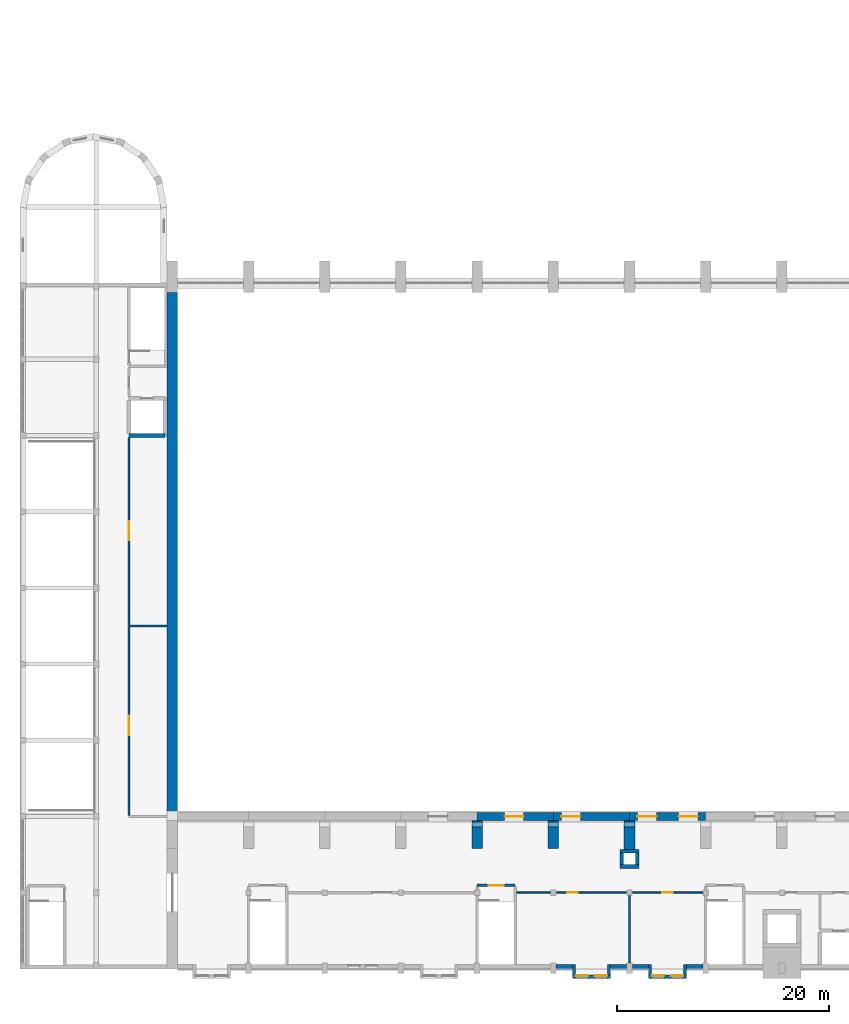
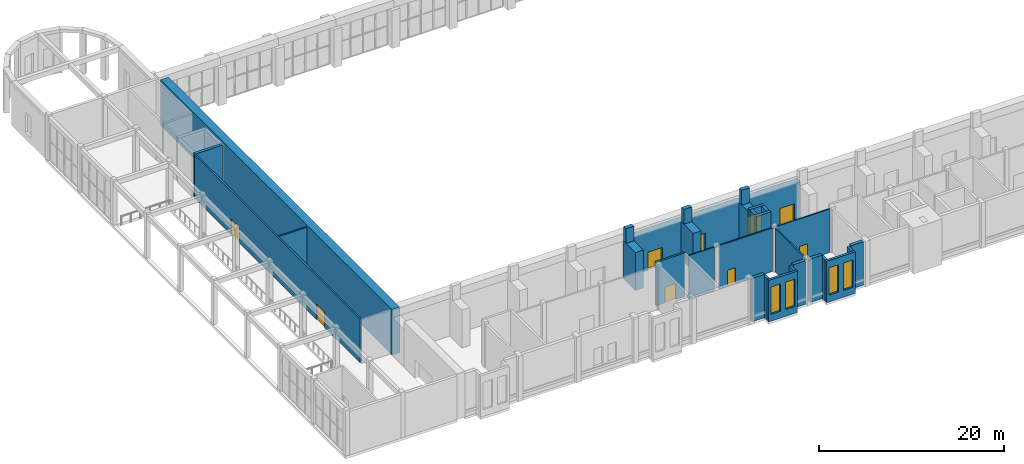
# One storey, part 27 of 44: 32 walls, 9 doors, 4 windows, 13 openings.
"""IFC4 building model written with IfcOpenShell, lengths in metres."""

from ifc_helpers import new_model, si_unit, direction, frame, frame_2d, origin, place, context, subcontext, project, spatial, rectangle, extrude, material, layer, layer_set, type_object, element, fill, save


model = new_model("IFC4")

# Units and contexts
model_context = context("Model", 3, precision=1e-05, world=origin(), true_north=direction((0.0, 1.0)))
body_context = subcontext(model_context, "Body", "Model", "MODEL_VIEW")
ifc_project = project(units=[si_unit("LENGTHUNIT", "METRE"), si_unit("AREAUNIT", "SQUARE_METRE"), si_unit("VOLUMEUNIT", "CUBIC_METRE"), si_unit("PLANEANGLEUNIT", "RADIAN"), si_unit("MASSUNIT", "GRAM", prefix="KILO")], contexts=[model_context])

# Site, building, storey
site_placement = place(None, origin())
site = spatial("IfcSite", under=ifc_project, at=site_placement, CompositionType="ELEMENT")
building_placement = place(site_placement, origin())
building = spatial("IfcBuilding", under=site, at=building_placement, Name="Vermilion Court Aquatics Centre", CompositionType="ELEMENT")
storey_placement = place(building_placement, frame((0.0, 0.0, 6.0)))
storey = spatial("IfcBuildingStorey", under=building, at=storey_placement, Name="L01", CompositionType="ELEMENT", Elevation=6.0)

# Wall
ifc_material_1 = material(Name="Concrete 5000 psi", Category="concrete")
ifc_layer_1 = layer(ifc_material_1, 1.0)
ifc_layer_set_1 = layer_set([ifc_layer_1], Name="Envelope west gable wall upper 1000")
wall_type_1 = type_object("IfcWallType", Name="Envelope west gable wall upper 1000", PredefinedType="SOLIDWALL", material=ifc_layer_set_1)
wall_1_placement = place(storey_placement, frame((14.39990234375, 14.0, 0.0), z_axis=(0.0, 0.0, 1.0), x_axis=(0.0, 1.0, 0.0)))
element("IfcWall", 1, at=wall_1_placement, inside=storey, type_object=wall_type_1, Name="Gable wall west L01", PredefinedType="SOLIDWALL", context=body_context, shape_type="SweptSolid", body=[
    extrude(rectangle(XDim=49.89990234375, YDim=1.0, at=frame_2d((24.949951171875, 0.0))), origin(), (0.0, 0.0, 1.0), 6.0),
])

# Wall, openings, doors
ifc_material_2 = material(Name="Concrete masonry ASTM C90 Type I", Category="masonry")
ifc_layer_2 = layer(ifc_material_2, 0.199951171875)
ifc_layer_set_2 = layer_set([ifc_layer_2], Name="Foyer partition wall 200")
wall_type_2 = type_object("IfcWallType", Name="Foyer partition wall 200", PredefinedType="PARTITIONING", material=ifc_layer_set_2)
wall_2_placement = place(storey_placement, frame((10.300048828125, 14.5, 0.0), z_axis=(0.0, 0.0, 1.0), x_axis=(0.0, 1.0, 0.0)))
wall_2 = element("IfcWall", 2, at=wall_2_placement, inside=storey, type_object=wall_type_2, Name="Partition wall", PredefinedType="PARTITIONING", context=body_context, shape_type="SweptSolid", body=[
    extrude(rectangle(XDim=35.72509765625, YDim=0.199951171875, at=frame_2d((17.862548828125, 0.0))), origin(), (0.0, 0.0, 1.0), 5.75),
])
opening_1_placement = place(wall_2_placement, frame((7.60009765625, 0.0, 0.0)))
opening_1 = element("IfcOpeningElement", 3, at=opening_1_placement, cuts=wall_2, Name="Opening F01-004", PredefinedType="OPENING", context=body_context, shape_type="SweptSolid", body=[
    extrude(rectangle(XDim=1.800048828125, YDim=2.10009765625, at=frame_2d((0.89990234375, 1.050048828125))), frame((0.0, 0.10986328125, 0.0), z_axis=(0.0, -1.0, 0.0), x_axis=(1.0, 0.0, 0.0)), (0.0, 0.0, 1.0), 0.219970703125),
])
opening_2_placement = place(wall_2_placement, frame((26.0, 0.0, 0.0)))
opening_2 = element("IfcOpeningElement", 4, at=opening_2_placement, cuts=wall_2, Name="Opening F01-005", PredefinedType="OPENING", context=body_context, shape_type="SweptSolid", body=[
    extrude(rectangle(XDim=1.800048828125, YDim=2.10009765625, at=frame_2d((0.89990234375, 1.050048828125))), frame((0.0, 0.10986328125, 0.0), z_axis=(0.0, -1.0, 0.0), x_axis=(1.0, 0.0, 0.0)), (0.0, 0.0, 1.0), 0.219970703125),
])
ifc_material_3 = material(Name="Hollow metal", Category="metal")
door_type_1 = type_object("IfcDoorType", Name="Foyer double door 1800", OperationType="DOUBLE_DOOR_SINGLE_SWING", PredefinedType="DOOR", material=ifc_material_3)
door_1_placement = place(opening_1_placement, frame((1.800048828125, 0.0, 0.0), z_axis=(0.0, 0.0, 1.0), x_axis=(-1.0, 0.0, 0.0)))
door_1 = element("IfcDoor", 5, at=door_1_placement, inside=storey, type_object=door_type_1, Name="Function room door", OperationType="DOUBLE_DOOR_SINGLE_SWING", OverallHeight=2.10009765625, OverallWidth=1.800048828125, PredefinedType="DOOR", context=body_context, shape_type="SweptSolid", body=[
    extrude(rectangle(XDim=1.800048828125, YDim=2.10009765625, at=frame_2d((0.900146484375, 1.050048828125))), frame((0.0, 0.025146484375, 0.0), z_axis=(0.0, -1.0, 0.0), x_axis=(1.0, 0.0, 0.0)), (0.0, 0.0, 1.0), 0.050048828125),
])
fill(opening_1, door_1)
door_2_placement = place(opening_2_placement, origin())
door_2 = element("IfcDoor", 6, at=door_2_placement, inside=storey, type_object=door_type_1, Name="Gallery cafe door", OperationType="DOUBLE_DOOR_SINGLE_SWING", OverallHeight=2.10009765625, OverallWidth=1.800048828125, PredefinedType="DOOR", context=body_context, shape_type="SweptSolid", body=[
    extrude(rectangle(XDim=1.800048828125, YDim=2.10009765625, at=frame_2d((0.89990234375, 1.050048828125))), frame((0.0, 0.02490234375, 0.0), z_axis=(0.0, -1.0, 0.0), x_axis=(1.0, 0.0, 0.0)), (0.0, 0.0, 1.0), 0.050048828125),
])
fill(opening_2, door_2)

# Walls
wall_3_placement = place(storey_placement, frame((10.39990234375, 32.39990234375, 0.0), z_axis=(0.0, 0.0, 1.0), x_axis=(1.0, 0.0, 0.0)))
element("IfcWall", 7, at=wall_3_placement, inside=storey, type_object=wall_type_2, Name="Partition wall", PredefinedType="PARTITIONING", context=body_context, shape_type="SweptSolid", body=[
    extrude(rectangle(XDim=3.5, YDim=0.199951171875, at=frame_2d((1.75, 0.0))), origin(), (0.0, 0.0, 1.0), 5.75),
])
ifc_material_4 = material(Name="Concrete 5000 psi", Category="concrete")
ifc_layer_3 = layer(ifc_material_4, 0.35009765625)
ifc_layer_set_3 = layer_set([ifc_layer_3], Name="Foyer upper lift shaft wall 350")
wall_type_3 = type_object("IfcWallType", Name="Foyer upper lift shaft wall 350", PredefinedType="SOLIDWALL", material=ifc_layer_set_3)
wall_4_placement = place(storey_placement, frame((10.300048828125, 50.39990234375, 0.0), z_axis=(0.0, 0.0, 1.0), x_axis=(1.0, 0.0, 0.0)))
element("IfcWall", 8, at=wall_4_placement, inside=storey, type_object=wall_type_3, Name="Lift shaft wall", PredefinedType="SOLIDWALL", context=body_context, shape_type="SweptSolid", body=[
    extrude(rectangle(XDim=3.39990234375, YDim=0.35009765625, at=frame_2d((1.699951171875, 0.0))), origin(), (0.0, 0.0, 1.0), 5.75),
])
ifc_material_5 = material(Name="Concrete 5000 psi", Category="concrete")
ifc_layer_4 = layer(ifc_material_5, 1.0)
ifc_layer_set_4 = layer_set([ifc_layer_4], Name="Roof buttress pier")
wall_type_4 = type_object("IfcWallType", Name="Roof buttress pier", PredefinedType="SOLIDWALL", material=ifc_layer_set_4)
for number, where, z_axis, x_axis, name in (
    (9, (43.199951171875, 11.39990234375, 0.0), (0.0, 0.0, 1.0), (0.0, 1.0, 0.0), "Buttress pier BPS05"),
    (10, (50.39990234375, 11.39990234375, 0.0), (0.0, 0.0, 1.0), (0.0, 1.0, 0.0), "Buttress pier BPS06"),
):
    element("IfcWall", number, at=place(storey_placement, frame(where, z_axis=z_axis, x_axis=x_axis)), inside=storey, type_object=wall_type_4, Name=name, PredefinedType="SOLIDWALL", context=body_context, shape_type="SweptSolid", body=[
        extrude(rectangle(XDim=2.60009765625, YDim=1.0, at=frame_2d((1.300048828125, 0.0))), origin(), (0.0, 0.0, 1.0), 5.0),
    ])
wall_5_placement = place(storey_placement, frame((57.60009765625, 11.300048828125, 0.0), z_axis=(0.0, 0.0, 1.0), x_axis=(0.0, 1.0, 0.0)))
element("IfcWall", 11, at=wall_5_placement, inside=storey, type_object=wall_type_4, Name="Buttress pier BPS07", PredefinedType="SOLIDWALL", context=body_context, shape_type="SweptSolid", body=[
    extrude(rectangle(XDim=2.699951171875, YDim=1.0, at=frame_2d((1.35009765625, 0.0))), origin(), (0.0, 0.0, 1.0), 5.0),
])

# Wall, openings, windows
ifc_material_6 = material(Name="Brick masonry", Category="masonry")
ifc_layer_5 = layer(ifc_material_6, 0.300048828125)
ifc_layer_set_5 = layer_set([ifc_layer_5], Name="South bay wall 300")
wall_type_5 = type_object("IfcWallType", Name="South bay wall 300", PredefinedType="SOLIDWALL", material=ifc_layer_set_5)
wall_6_placement = place(storey_placement, frame((52.199951171875, -0.75, 0.0), z_axis=(0.0, 0.0, 1.0), x_axis=(1.0, 0.0, 0.0)))
wall_6 = element("IfcWall", 12, at=wall_6_placement, inside=storey, type_object=wall_type_5, Name="South oriel front wall", PredefinedType="SOLIDWALL", context=body_context, shape_type="SweptSolid", body=[
    extrude(rectangle(XDim=3.60009765625, YDim=0.300048828125, at=frame_2d((1.800048828125, 0.0))), origin(), (0.0, 0.0, 1.0), 5.449951171875),
])
opening_3_placement = place(wall_6_placement, frame((0.300048828125, 0.0, 0.89990234375)))
opening_3 = element("IfcOpeningElement", 13, at=opening_3_placement, cuts=wall_6, Name="Opening SWN7", PredefinedType="OPENING", context=body_context, shape_type="SweptSolid", body=[
    extrude(rectangle(XDim=1.199951171875, YDim=3.60009765625, at=frame_2d((0.60009765625, 1.800048828125))), frame((0.0, 0.159912109375, 0.0), z_axis=(0.0, -1.0, 0.0), x_axis=(1.0, 0.0, 0.0)), (0.0, 0.0, 1.0), 0.320068359375),
])
opening_4_placement = place(wall_6_placement, frame((2.10009765625, 0.0, 0.89990234375)))
opening_4 = element("IfcOpeningElement", 14, at=opening_4_placement, cuts=wall_6, Name="Opening SWN7", PredefinedType="OPENING", context=body_context, shape_type="SweptSolid", body=[
    extrude(rectangle(XDim=1.199951171875, YDim=3.60009765625, at=frame_2d((0.60009765625, 1.800048828125))), frame((0.0, 0.159912109375, 0.0), z_axis=(0.0, -1.0, 0.0), x_axis=(1.0, 0.0, 0.0)), (0.0, 0.0, 1.0), 0.320068359375),
])
ifc_material_7 = material(Name="Aluminium 6063-T5", Category="aluminium")
window_type = type_object("IfcWindowType", Name="South tall window 1200x3600 obscured glass", PartitioningType="DOUBLE_PANEL_VERTICAL", PredefinedType="WINDOW", material=ifc_material_7)
window_1_placement = place(opening_3_placement, origin())
window_1 = element("IfcWindow", 15, at=window_1_placement, inside=storey, type_object=window_type, Name="Oriel tall window", OverallHeight=3.60009765625, OverallWidth=1.199951171875, PartitioningType="DOUBLE_PANEL_VERTICAL", PredefinedType="WINDOW", context=body_context, shape_type="SweptSolid", body=[
    extrude(rectangle(XDim=1.199951171875, YDim=3.60009765625, at=frame_2d((0.60009765625, 1.800048828125))), frame((0.0, 0.130126953125, 0.0), z_axis=(0.0, -1.0, 0.0), x_axis=(1.0, 0.0, 0.0)), (0.0, 0.0, 1.0), 0.06005859375),
])
fill(opening_3, window_1)
window_2_placement = place(opening_4_placement, origin())
window_2 = element("IfcWindow", 16, at=window_2_placement, inside=storey, type_object=window_type, Name="Oriel tall window", OverallHeight=3.60009765625, OverallWidth=1.199951171875, PartitioningType="DOUBLE_PANEL_VERTICAL", PredefinedType="WINDOW", context=body_context, shape_type="SweptSolid", body=[
    extrude(rectangle(XDim=1.199951171875, YDim=3.60009765625, at=frame_2d((0.60009765625, 1.800048828125))), frame((0.0, 0.130126953125, 0.0), z_axis=(0.0, -1.0, 0.0), x_axis=(1.0, 0.0, 0.0)), (0.0, 0.0, 1.0), 0.06005859375),
])
fill(opening_4, window_2)

# Walls
for number, where, z_axis, x_axis, name in (
    (17, (52.35009765625, -0.60009765625, 0.0), (0.0, 0.0, 1.0), (0.0, 1.0, 0.0), "South oriel jamb pier"),
    (18, (55.64990234375, -0.60009765625, 0.0), (0.0, 0.0, 1.0), (0.0, 1.0, 0.0), "South oriel jamb pier"),
):
    element("IfcWall", number, at=place(storey_placement, frame(where, z_axis=z_axis, x_axis=x_axis)), inside=storey, type_object=wall_type_5, Name=name, PredefinedType="SOLIDWALL", context=body_context, shape_type="SweptSolid", body=[
        extrude(rectangle(XDim=1.0, YDim=0.300048828125, at=frame_2d((0.5, 0.0))), origin(), (0.0, 0.0, 1.0), 5.449951171875),
    ])

# Wall, openings, windows
wall_7_placement = place(storey_placement, frame((59.39990234375, -0.75, 0.0), z_axis=(0.0, 0.0, 1.0), x_axis=(1.0, 0.0, 0.0)))
wall_7 = element("IfcWall", 19, at=wall_7_placement, inside=storey, type_object=wall_type_5, Name="South oriel front wall", PredefinedType="SOLIDWALL", context=body_context, shape_type="SweptSolid", body=[
    extrude(rectangle(XDim=3.60009765625, YDim=0.300048828125, at=frame_2d((1.800048828125, 0.0))), origin(), (0.0, 0.0, 1.0), 5.449951171875),
])
opening_5_placement = place(wall_7_placement, frame((0.300048828125, 0.0, 0.89990234375)))
opening_5 = element("IfcOpeningElement", 20, at=opening_5_placement, cuts=wall_7, Name="Opening SWN7", PredefinedType="OPENING", context=body_context, shape_type="SweptSolid", body=[
    extrude(rectangle(XDim=1.199951171875, YDim=3.60009765625, at=frame_2d((0.60009765625, 1.800048828125))), frame((0.0, 0.159912109375, 0.0), z_axis=(0.0, -1.0, 0.0), x_axis=(1.0, 0.0, 0.0)), (0.0, 0.0, 1.0), 0.320068359375),
])
opening_6_placement = place(wall_7_placement, frame((2.10009765625, 0.0, 0.89990234375)))
opening_6 = element("IfcOpeningElement", 21, at=opening_6_placement, cuts=wall_7, Name="Opening SWN7", PredefinedType="OPENING", context=body_context, shape_type="SweptSolid", body=[
    extrude(rectangle(XDim=1.199951171875, YDim=3.60009765625, at=frame_2d((0.60009765625, 1.800048828125))), frame((0.0, 0.159912109375, 0.0), z_axis=(0.0, -1.0, 0.0), x_axis=(1.0, 0.0, 0.0)), (0.0, 0.0, 1.0), 0.320068359375),
])
window_3_placement = place(opening_5_placement, origin())
window_3 = element("IfcWindow", 22, at=window_3_placement, inside=storey, type_object=window_type, Name="Oriel tall window", OverallHeight=3.60009765625, OverallWidth=1.199951171875, PartitioningType="DOUBLE_PANEL_VERTICAL", PredefinedType="WINDOW", context=body_context, shape_type="SweptSolid", body=[
    extrude(rectangle(XDim=1.199951171875, YDim=3.60009765625, at=frame_2d((0.60009765625, 1.800048828125))), frame((0.0, 0.130126953125, 0.0), z_axis=(0.0, -1.0, 0.0), x_axis=(1.0, 0.0, 0.0)), (0.0, 0.0, 1.0), 0.06005859375),
])
fill(opening_5, window_3)
window_4_placement = place(opening_6_placement, origin())
window_4 = element("IfcWindow", 23, at=window_4_placement, inside=storey, type_object=window_type, Name="Oriel tall window", OverallHeight=3.60009765625, OverallWidth=1.199951171875, PartitioningType="DOUBLE_PANEL_VERTICAL", PredefinedType="WINDOW", context=body_context, shape_type="SweptSolid", body=[
    extrude(rectangle(XDim=1.199951171875, YDim=3.60009765625, at=frame_2d((0.60009765625, 1.800048828125))), frame((0.0, 0.130126953125, 0.0), z_axis=(0.0, -1.0, 0.0), x_axis=(1.0, 0.0, 0.0)), (0.0, 0.0, 1.0), 0.06005859375),
])
fill(opening_6, window_4)

# Walls
for number, where, z_axis, x_axis, name in (
    (24, (59.550048828125, -0.60009765625, 0.0), (0.0, 0.0, 1.0), (0.0, 1.0, 0.0), "South oriel jamb pier"),
    (25, (62.85009765625, -0.60009765625, 0.0), (0.0, 0.0, 1.0), (0.0, 1.0, 0.0), "South oriel jamb pier"),
):
    element("IfcWall", number, at=place(storey_placement, frame(where, z_axis=z_axis, x_axis=x_axis)), inside=storey, type_object=wall_type_5, Name=name, PredefinedType="SOLIDWALL", context=body_context, shape_type="SweptSolid", body=[
        extrude(rectangle(XDim=1.0, YDim=0.300048828125, at=frame_2d((0.5, 0.0))), origin(), (0.0, 0.0, 1.0), 5.449951171875),
    ])
ifc_material_8 = material(Name="Brick masonry", Category="masonry")
ifc_layer_6 = layer(ifc_material_8, 0.39990234375)
ifc_layer_set_6 = layer_set([ifc_layer_6], Name="South brick facade wall 400")
wall_type_6 = type_object("IfcWallType", Name="South brick facade wall 400", PredefinedType="SOLIDWALL", material=ifc_layer_set_6)
for number, where, z_axis, x_axis, name in (
    (26, (50.675048828125, 0.199951171875, 0.0), (0.0, 0.0, 1.0), (1.0, 0.0, 0.0), "Brick facade wall"),
    (27, (55.800048828125, 0.199951171875, 0.0), (0.0, 0.0, 1.0), (1.0, 0.0, 0.0), "Brick facade wall"),
    (28, (57.875, 0.199951171875, 0.0), (0.0, 0.0, 1.0), (1.0, 0.0, 0.0), "Brick facade wall"),
    (29, (63.0, 0.199951171875, 0.0), (0.0, 0.0, 1.0), (1.0, 0.0, 0.0), "Brick facade wall"),
):
    element("IfcWall", number, at=place(storey_placement, frame(where, z_axis=z_axis, x_axis=x_axis)), inside=storey, type_object=wall_type_6, Name=name, PredefinedType="SOLIDWALL", context=body_context, shape_type="SweptSolid", body=[
        extrude(rectangle(XDim=1.52490234375, YDim=0.39990234375, at=frame_2d((0.762451171875, 0.0))), origin(), (0.0, 0.0, 1.0), 5.72509765625),
    ])
ifc_material_9 = material(Name="Concrete 5000 psi", Category="concrete")
ifc_layer_7 = layer(ifc_material_9, 0.5)
ifc_layer_set_7 = layer_set([ifc_layer_7], Name="South roof valley post 500")
wall_type_7 = type_object("IfcWallType", Name="South roof valley post 500", PredefinedType="SOLIDWALL", material=ifc_layer_set_7)
for number, where, z_axis, x_axis, name in (
    (30, (42.699951171875, 13.64990234375, 5.0), (0.0, 0.0, 1.0), (1.0, 0.0, 0.0), "South roof valley post"),
    (31, (49.89990234375, 13.64990234375, 5.0), (0.0, 0.0, 1.0), (1.0, 0.0, 0.0), "South roof valley post"),
    (32, (57.10009765625, 13.64990234375, 5.0), (0.0, 0.0, 1.0), (1.0, 0.0, 0.0), "South roof valley post"),
):
    element("IfcWall", number, at=place(storey_placement, frame(where, z_axis=z_axis, x_axis=x_axis)), inside=storey, type_object=wall_type_7, Name=name, PredefinedType="SOLIDWALL", context=body_context, shape_type="SweptSolid", body=[
        extrude(rectangle(XDim=1.0, YDim=0.5, at=frame_2d((0.5, 0.0))), origin(), (0.0, 0.0, 1.0), 1.932373046875),
    ])

# Wall, opening, door
ifc_material_10 = material(Name="Concrete 5000 psi", Category="concrete")
ifc_layer_8 = layer(ifc_material_10, 0.25)
ifc_layer_set_8 = layer_set([ifc_layer_8], Name="South upper stair wall 250")
wall_type_8 = type_object("IfcWallType", Name="South upper stair wall 250", PredefinedType="SOLIDWALL", material=ifc_layer_set_8)
wall_8_placement = place(storey_placement, frame((43.199951171875, 7.89990234375, 0.0), z_axis=(0.0, 0.0, 1.0), x_axis=(1.0, 0.0, 0.0)))
wall_8 = element("IfcWall", 33, at=wall_8_placement, inside=storey, type_object=wall_type_8, Name="Stair enclosure wall", PredefinedType="SOLIDWALL", context=body_context, shape_type="SweptSolid", body=[
    extrude(rectangle(XDim=3.60009765625, YDim=0.25, at=frame_2d((1.800048828125, 0.0))), origin(), (0.0, 0.0, 1.0), 5.72509765625),
])
opening_7_placement = place(wall_8_placement, frame((1.10009765625, 0.0, 0.0)))
opening_7 = element("IfcOpeningElement", 34, at=opening_7_placement, cuts=wall_8, Name="Opening S01-002", PredefinedType="OPENING", context=body_context, shape_type="SweptSolid", body=[
    extrude(rectangle(XDim=1.39990234375, YDim=2.10009765625, at=frame_2d((0.699951171875, 1.050048828125))), frame((0.0, 0.135009765625, 0.0), z_axis=(0.0, -1.0, 0.0), x_axis=(1.0, 0.0, 0.0)), (0.0, 0.0, 1.0), 0.27001953125),
])
ifc_material_11 = material(Name="Hollow metal", Category="metal")
door_type_2 = type_object("IfcDoorType", Name="South stair door 1400", OperationType="DOUBLE_DOOR_SINGLE_SWING", PredefinedType="DOOR", material=ifc_material_11)
door_3_placement = place(opening_7_placement, frame((1.39990234375, 0.0, 0.0), z_axis=(0.0, 0.0, 1.0), x_axis=(-1.0, 0.0, 0.0)))
door_3 = element("IfcDoor", 35, at=door_3_placement, inside=storey, type_object=door_type_2, Name="Exit stair S2 door", OperationType="DOUBLE_DOOR_SINGLE_SWING", OverallHeight=2.10009765625, OverallWidth=1.39990234375, PredefinedType="DOOR", context=body_context, shape_type="SweptSolid", body=[
    extrude(rectangle(XDim=1.39990234375, YDim=2.10009765625, at=frame_2d((0.699951171875, 1.050048828125))), frame((0.0, 0.025146484375, 0.0), z_axis=(0.0, -1.0, 0.0), x_axis=(1.0, 0.0, 0.0)), (0.0, 0.0, 1.0), 0.050048828125),
])
fill(opening_7, door_3)

# Walls
ifc_material_12 = material(Name="Brick masonry", Category="masonry")
ifc_layer_9 = layer(ifc_material_12, 0.35009765625)
ifc_layer_set_9 = layer_set([ifc_layer_9], Name="South vent stack wall 350")
wall_type_9 = type_object("IfcWallType", Name="South vent stack wall 350", PredefinedType="SOLIDWALL", material=ifc_layer_set_9)
for number, where, z_axis, x_axis, name in (
    (36, (56.699951171875, 11.125, 0.0), (0.0, 0.0, 1.0), (1.0, 0.0, 0.0), "Stack shaft wall"),
    (37, (56.699951171875, 9.675048828125, 0.0), (0.0, 0.0, 1.0), (1.0, 0.0, 0.0), "Stack shaft wall"),
):
    element("IfcWall", number, at=place(storey_placement, frame(where, z_axis=z_axis, x_axis=x_axis)), inside=storey, type_object=wall_type_9, Name=name, PredefinedType="SOLIDWALL", context=body_context, shape_type="SweptSolid", body=[
        extrude(rectangle(XDim=1.800048828125, YDim=0.35009765625, at=frame_2d((0.89990234375, 0.0))), origin(), (0.0, 0.0, 1.0), 6.0),
    ])
for number, where, z_axis, x_axis, name in (
    (38, (58.324951171875, 9.85009765625, 0.0), (0.0, 0.0, 1.0), (0.0, 1.0, 0.0), "Stack shaft wall"),
    (39, (56.875, 9.85009765625, 0.0), (0.0, 0.0, 1.0), (0.0, 1.0, 0.0), "Stack shaft wall"),
):
    element("IfcWall", number, at=place(storey_placement, frame(where, z_axis=z_axis, x_axis=x_axis)), inside=storey, type_object=wall_type_9, Name=name, PredefinedType="SOLIDWALL", context=body_context, shape_type="SweptSolid", body=[
        extrude(rectangle(XDim=1.099853515625, YDim=0.35009765625, at=frame_2d((0.5498046875, 0.0))), origin(), (0.0, 0.0, 1.0), 6.0),
    ])
ifc_material_13 = material(Name="Concrete masonry ASTM C90 Type I", Category="masonry")
ifc_layer_10 = layer(ifc_material_13, 0.14990234375)
ifc_layer_set_10 = layer_set([ifc_layer_10], Name="South wet room partition 150")
wall_type_10 = type_object("IfcWallType", Name="South wet room partition 150", PredefinedType="PARTITIONING", material=ifc_layer_set_10)
wall_9_placement = place(storey_placement, frame((57.60009765625, 0.60009765625, 0.0), z_axis=(0.0, 0.0, 1.0), x_axis=(0.0, 1.0, 0.0)))
element("IfcWall", 40, at=wall_9_placement, inside=storey, type_object=wall_type_10, Name="Wall", PredefinedType="PARTITIONING", context=body_context, shape_type="SweptSolid", body=[
    extrude(rectangle(XDim=6.2998046875, YDim=0.14990234375, at=frame_2d((3.14990234375, 0.0))), origin(), (0.0, 0.0, 1.0), 5.72509765625),
])
wall_10_placement = place(storey_placement, frame((46.925048828125, 7.199951171875, 0.0), z_axis=(0.0, 0.0, 1.0), x_axis=(1.0, 0.0, 0.0)))
element("IfcWall", 41, at=wall_10_placement, inside=storey, type_object=wall_type_10, Name="Wall", PredefinedType="PARTITIONING", context=body_context, shape_type="SweptSolid", body=[
    extrude(rectangle(XDim=3.175048828125, YDim=0.14990234375, at=frame_2d((1.58740234375, 0.0))), origin(), (0.0, 0.0, 1.0), 5.72509765625),
])

# Wall, opening, door
wall_11_placement = place(storey_placement, frame((50.699951171875, 7.199951171875, 0.0), z_axis=(0.0, 0.0, 1.0), x_axis=(1.0, 0.0, 0.0)))
wall_11 = element("IfcWall", 42, at=wall_11_placement, inside=storey, type_object=wall_type_10, Name="Wall", PredefinedType="PARTITIONING", context=body_context, shape_type="SweptSolid", body=[
    extrude(rectangle(XDim=6.60009765625, YDim=0.14990234375, at=frame_2d((3.300048828125, 0.0))), origin(), (0.0, 0.0, 1.0), 5.72509765625),
])
opening_8_placement = place(wall_11_placement, frame((1.0, 0.0, 0.0)))
opening_8 = element("IfcOpeningElement", 43, at=opening_8_placement, cuts=wall_11, Name="Opening S01-010", PredefinedType="OPENING", context=body_context, shape_type="SweptSolid", body=[
    extrude(rectangle(XDim=1.0, YDim=2.10009765625, at=frame_2d((0.5, 1.050048828125))), frame((0.0, 0.0849609375, 0.0), z_axis=(0.0, -1.0, 0.0), x_axis=(1.0, 0.0, 0.0)), (0.0, 0.0, 1.0), 0.169921875),
])
ifc_material_14 = material(Name="Timber door leaf", Category="wood")
door_type_3 = type_object("IfcDoorType", Name="South range single door 1000", OperationType="NOTDEFINED", PredefinedType="DOOR", material=ifc_material_14)
door_4_placement = place(opening_8_placement, frame((1.0, 0.0, 0.0), z_axis=(0.0, 0.0, 1.0), x_axis=(-1.0, 0.0, 0.0)))
door_4 = element("IfcDoor", 44, at=door_4_placement, inside=storey, type_object=door_type_3, Name="Public WC - Women door", OperationType="SINGLE_SWING_RIGHT", OverallHeight=2.10009765625, OverallWidth=1.0, PredefinedType="DOOR", context=body_context, shape_type="SweptSolid", body=[
    extrude(rectangle(XDim=1.0, YDim=2.10009765625, at=frame_2d((0.5, 1.050048828125))), frame((0.0, 0.025146484375, 0.0), z_axis=(0.0, -1.0, 0.0), x_axis=(1.0, 0.0, 0.0)), (0.0, 0.0, 1.0), 0.050048828125),
])
fill(opening_8, door_4)

wall_12_placement = place(storey_placement, frame((57.89990234375, 7.199951171875, 0.0), z_axis=(0.0, 0.0, 1.0), x_axis=(1.0, 0.0, 0.0)))
wall_12 = element("IfcWall", 45, at=wall_12_placement, inside=storey, type_object=wall_type_10, Name="Wall", PredefinedType="PARTITIONING", context=body_context, shape_type="SweptSolid", body=[
    extrude(rectangle(XDim=6.60009765625, YDim=0.14990234375, at=frame_2d((3.300048828125, 0.0))), origin(), (0.0, 0.0, 1.0), 5.72509765625),
])
opening_9_placement = place(wall_12_placement, frame((2.800048828125, 0.0, 0.0)))
opening_9 = element("IfcOpeningElement", 46, at=opening_9_placement, cuts=wall_12, Name="Opening S01-011", PredefinedType="OPENING", context=body_context, shape_type="SweptSolid", body=[
    extrude(rectangle(XDim=1.0, YDim=2.10009765625, at=frame_2d((0.5, 1.050048828125))), frame((0.0, 0.0849609375, 0.0), z_axis=(0.0, -1.0, 0.0), x_axis=(1.0, 0.0, 0.0)), (0.0, 0.0, 1.0), 0.169921875),
])
door_5_placement = place(opening_9_placement, frame((1.0, 0.0, 0.0), z_axis=(0.0, 0.0, 1.0), x_axis=(-1.0, 0.0, 0.0)))
door_5 = element("IfcDoor", 47, at=door_5_placement, inside=storey, type_object=door_type_3, Name="Public WC - Men door", OperationType="SINGLE_SWING_RIGHT", OverallHeight=2.10009765625, OverallWidth=1.0, PredefinedType="DOOR", context=body_context, shape_type="SweptSolid", body=[
    extrude(rectangle(XDim=1.0, YDim=2.10009765625, at=frame_2d((0.5, 1.050048828125))), frame((0.0, 0.025146484375, 0.0), z_axis=(0.0, -1.0, 0.0), x_axis=(1.0, 0.0, 0.0)), (0.0, 0.0, 1.0), 0.050048828125),
])
fill(opening_9, door_5)

ifc_material_15 = material(Name="Concrete 5000 psi", Category="concrete")
ifc_layer_11 = layer(ifc_material_15, 0.800048828125)
ifc_layer_set_11 = layer_set([ifc_layer_11], Name="Tribune back wall 800")
wall_type_11 = type_object("IfcWallType", Name="Tribune back wall 800", PredefinedType="SOLIDWALL", material=ifc_layer_set_11)
wall_13_placement = place(storey_placement, frame((43.199951171875, 14.39990234375, 0.0), z_axis=(0.0, 0.0, 1.0), x_axis=(1.0, 0.0, 0.0)))
wall_13 = element("IfcWall", 48, at=wall_13_placement, inside=storey, type_object=wall_type_11, Name="South hall wall", PredefinedType="SOLIDWALL", context=body_context, shape_type="SweptSolid", body=[
    extrude(rectangle(XDim=7.199951171875, YDim=0.800048828125, at=frame_2d((3.60009765625, 0.0))), origin(), (0.0, 0.0, 1.0), 5.0),
])
opening_10_placement = place(wall_13_placement, frame((2.60009765625, 0.0, 0.0)))
opening_10 = element("IfcOpeningElement", 49, at=opening_10_placement, cuts=wall_13, Name="Opening T01-002", PredefinedType="OPENING", context=body_context, shape_type="SweptSolid", body=[
    extrude(rectangle(XDim=1.800048828125, YDim=2.39990234375, at=frame_2d((0.89990234375, 1.199951171875))), frame((0.0, 0.409912109375, 0.0), z_axis=(0.0, -1.0, 0.0), x_axis=(1.0, 0.0, 0.0)), (0.0, 0.0, 1.0), 0.820068359375),
])
ifc_material_16 = material(Name="Hollow metal", Category="metal")
door_type_4 = type_object("IfcDoorType", Name="Tribune vomitory door 1800x2400", OperationType="DOUBLE_DOOR_SINGLE_SWING", PredefinedType="DOOR", material=ifc_material_16)
door_6_placement = place(opening_10_placement, origin())
door_6 = element("IfcDoor", 50, at=door_6_placement, inside=storey, type_object=door_type_4, Name="Vomitory door", OperationType="DOUBLE_DOOR_SINGLE_SWING", OverallHeight=2.39990234375, OverallWidth=1.800048828125, PredefinedType="DOOR", context=body_context, shape_type="SweptSolid", body=[
    extrude(rectangle(XDim=1.800048828125, YDim=2.39990234375, at=frame_2d((0.89990234375, 1.199951171875))), frame((0.0, 0.02490234375, 0.0), z_axis=(0.0, -1.0, 0.0), x_axis=(1.0, 0.0, 0.0)), (0.0, 0.0, 1.0), 0.050048828125),
])
fill(opening_10, door_6)

wall_14_placement = place(storey_placement, frame((50.39990234375, 14.39990234375, 0.0), z_axis=(0.0, 0.0, 1.0), x_axis=(1.0, 0.0, 0.0)))
wall_14 = element("IfcWall", 51, at=wall_14_placement, inside=storey, type_object=wall_type_11, Name="South hall wall", PredefinedType="SOLIDWALL", context=body_context, shape_type="SweptSolid", body=[
    extrude(rectangle(XDim=7.2001953125, YDim=0.800048828125, at=frame_2d((3.60009765625, 0.0))), origin(), (0.0, 0.0, 1.0), 5.0),
])
opening_11_placement = place(wall_14_placement, frame((0.75, 0.0, 0.0)))
opening_11 = element("IfcOpeningElement", 52, at=opening_11_placement, cuts=wall_14, Name="Opening T01-003", PredefinedType="OPENING", context=body_context, shape_type="SweptSolid", body=[
    extrude(rectangle(XDim=1.800048828125, YDim=2.39990234375, at=frame_2d((0.89990234375, 1.199951171875))), frame((0.0, 0.409912109375, 0.0), z_axis=(0.0, -1.0, 0.0), x_axis=(1.0, 0.0, 0.0)), (0.0, 0.0, 1.0), 0.820068359375),
])
door_7_placement = place(opening_11_placement, origin())
door_7 = element("IfcDoor", 53, at=door_7_placement, inside=storey, type_object=door_type_4, Name="Vomitory door", OperationType="DOUBLE_DOOR_SINGLE_SWING", OverallHeight=2.39990234375, OverallWidth=1.800048828125, PredefinedType="DOOR", context=body_context, shape_type="SweptSolid", body=[
    extrude(rectangle(XDim=1.800048828125, YDim=2.39990234375, at=frame_2d((0.89990234375, 1.199951171875))), frame((0.0, 0.02490234375, 0.0), z_axis=(0.0, -1.0, 0.0), x_axis=(1.0, 0.0, 0.0)), (0.0, 0.0, 1.0), 0.050048828125),
])
fill(opening_11, door_7)

# Wall, openings, doors
wall_15_placement = place(storey_placement, frame((57.60009765625, 14.39990234375, 0.0), z_axis=(0.0, 0.0, 1.0), x_axis=(1.0, 0.0, 0.0)))
wall_15 = element("IfcWall", 54, at=wall_15_placement, inside=storey, type_object=wall_type_11, Name="South hall wall", PredefinedType="SOLIDWALL", context=body_context, shape_type="SweptSolid", body=[
    extrude(rectangle(XDim=7.199951171875, YDim=0.800048828125, at=frame_2d((3.60009765625, 0.0))), origin(), (0.0, 0.0, 1.0), 5.0),
])
opening_12_placement = place(wall_15_placement, frame((0.75, 0.0, 0.0)))
opening_12 = element("IfcOpeningElement", 55, at=opening_12_placement, cuts=wall_15, Name="Opening T01-004", PredefinedType="OPENING", context=body_context, shape_type="SweptSolid", body=[
    extrude(rectangle(XDim=1.800048828125, YDim=2.39990234375, at=frame_2d((0.89990234375, 1.199951171875))), frame((0.0, 0.409912109375, 0.0), z_axis=(0.0, -1.0, 0.0), x_axis=(1.0, 0.0, 0.0)), (0.0, 0.0, 1.0), 0.820068359375),
])
opening_13_placement = place(wall_15_placement, frame((4.64990234375, 0.0, 0.0)))
opening_13 = element("IfcOpeningElement", 56, at=opening_13_placement, cuts=wall_15, Name="Opening T01-005", PredefinedType="OPENING", context=body_context, shape_type="SweptSolid", body=[
    extrude(rectangle(XDim=1.800048828125, YDim=2.39990234375, at=frame_2d((0.89990234375, 1.199951171875))), frame((0.0, 0.409912109375, 0.0), z_axis=(0.0, -1.0, 0.0), x_axis=(1.0, 0.0, 0.0)), (0.0, 0.0, 1.0), 0.820068359375),
])
door_8_placement = place(opening_12_placement, origin())
door_8 = element("IfcDoor", 57, at=door_8_placement, inside=storey, type_object=door_type_4, Name="Vomitory door", OperationType="DOUBLE_DOOR_SINGLE_SWING", OverallHeight=2.39990234375, OverallWidth=1.800048828125, PredefinedType="DOOR", context=body_context, shape_type="SweptSolid", body=[
    extrude(rectangle(XDim=1.800048828125, YDim=2.39990234375, at=frame_2d((0.89990234375, 1.199951171875))), frame((0.0, 0.02490234375, 0.0), z_axis=(0.0, -1.0, 0.0), x_axis=(1.0, 0.0, 0.0)), (0.0, 0.0, 1.0), 0.050048828125),
])
fill(opening_12, door_8)
door_9_placement = place(opening_13_placement, origin())
door_9 = element("IfcDoor", 58, at=door_9_placement, inside=storey, type_object=door_type_4, Name="Vomitory door", OperationType="DOUBLE_DOOR_SINGLE_SWING", OverallHeight=2.39990234375, OverallWidth=1.800048828125, PredefinedType="DOOR", context=body_context, shape_type="SweptSolid", body=[
    extrude(rectangle(XDim=1.800048828125, YDim=2.39990234375, at=frame_2d((0.89990234375, 1.199951171875))), frame((0.0, 0.02490234375, 0.0), z_axis=(0.0, -1.0, 0.0), x_axis=(1.0, 0.0, 0.0)), (0.0, 0.0, 1.0), 0.050048828125),
])
fill(opening_13, door_9)

save(model, "model.ifc")
